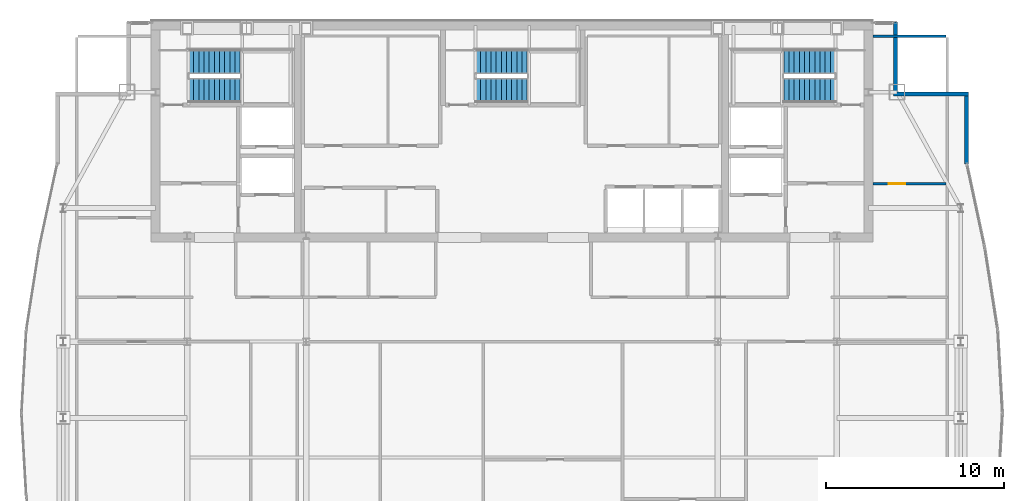
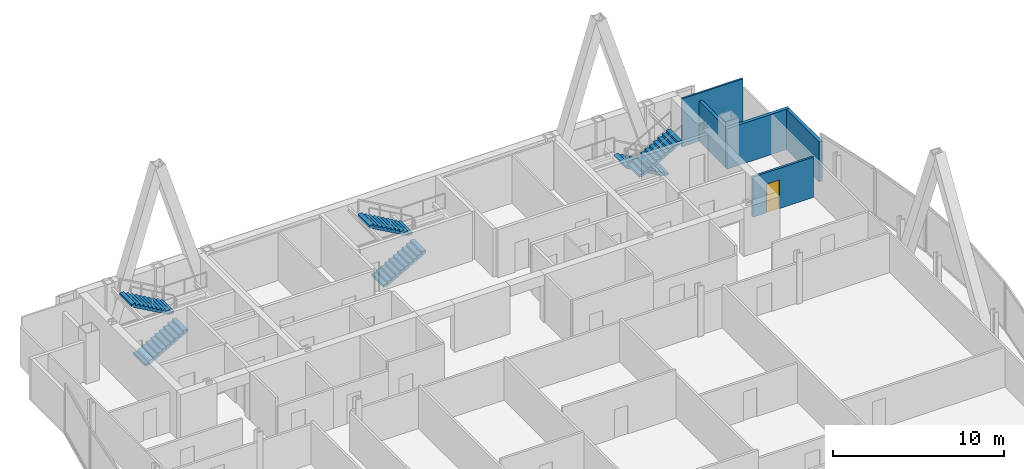
# One storey, part 27 of 29: 6 stair flights, 5 walls, 1 door, 1 opening, 3 elements without a shape of their own.
"""IFC4 building model written with IfcOpenShell, lengths in metres."""

from ifc_helpers import new_model, si_unit, direction, frame, frame_2d, origin, place, context, subcontext, project, spatial, polyline, rectangle, outline, extrude, material, layer, layer_set, type_object, element, fill, aggregate, save


model = new_model("IFC4")

# Units and contexts
model_context = context("Model", 3, precision=1e-05, world=origin(), true_north=direction((0.0, 1.0)))
body_context = subcontext(model_context, "Body", "Model", "MODEL_VIEW")
ifc_project = project(units=[si_unit("LENGTHUNIT", "METRE"), si_unit("AREAUNIT", "SQUARE_METRE"), si_unit("VOLUMEUNIT", "CUBIC_METRE"), si_unit("PLANEANGLEUNIT", "RADIAN"), si_unit("MASSUNIT", "GRAM", prefix="KILO")], contexts=[model_context])

# Site, building, storey
site_placement = place(None, origin())
site = spatial("IfcSite", under=ifc_project, at=site_placement, CompositionType="ELEMENT")
building_placement = place(site_placement, origin())
building = spatial("IfcBuilding", under=site, at=building_placement, Name="Khoronbel Lancet Exchange", CompositionType="ELEMENT")
storey_placement = place(building_placement, frame((0.0, 0.0, 314.60009765625)))
storey = spatial("IfcBuildingStorey", under=building, at=storey_placement, Name="L81", CompositionType="ELEMENT", Elevation=314.60009765625)

# Walls
ifc_material_1 = material(Name="Precast concrete C40/50", Category="concrete")
ifc_layer_1 = layer(ifc_material_1, 0.25, Name="Precast concrete C40/50")
ifc_layer_set_1 = layer_set([ifc_layer_1], Name="Precast concrete C40/50")
wall_type_1 = type_object("IfcWallType", Name="WL-EXT250", PredefinedType="SOLIDWALL", material=ifc_layer_set_1)
wall_1_placement = place(storey_placement, frame((57.9599609375, 53.6298828125, 0.0), z_axis=(0.0, 0.0, 1.0), x_axis=(0.0, -1.0, 0.0)))
element("IfcWall", 1, at=wall_1_placement, inside=storey, type_object=wall_type_1, Name="Level L81 notched-corner limestone pier 14", PredefinedType="SOLIDWALL", context=body_context, shape_type="SweptSolid", body=[
    extrude(rectangle(XDim=3.909912109375, YDim=0.219970703125, at=frame_2d((1.955078125, 0.0))), origin(), (0.0, 0.0, 1.0), 2.8798828125),
])
wall_2_placement = place(storey_placement, frame((57.85009765625, 49.610107421875, 0.0), z_axis=(0.0, 0.0, 1.0), x_axis=(1.0, 0.0, 0.0)))
element("IfcWall", 2, at=wall_2_placement, inside=storey, type_object=wall_type_1, Name="Level L81 notched-corner limestone pier 15", PredefinedType="SOLIDWALL", context=body_context, shape_type="SweptSolid", body=[
    extrude(rectangle(XDim=4.219970703125, YDim=0.219970703125, at=frame_2d((2.10986328125, 0.0))), origin(), (0.0, 0.0, 1.0), 2.8798828125),
])
wall_3_placement = place(storey_placement, frame((61.9599609375, 49.5, 0.0), z_axis=(0.0, 0.0, 1.0), x_axis=(0.0, -1.0, 0.0)))
element("IfcWall", 3, at=wall_3_placement, inside=storey, type_object=wall_type_1, Name="Level L81 notched-corner limestone pier 16", PredefinedType="SOLIDWALL", context=body_context, shape_type="SweptSolid", body=[
    extrude(rectangle(XDim=3.82958984375, YDim=0.219970703125, at=frame_2d((1.914794921875, 0.0))), origin(), (0.0, 0.0, 1.0), 2.8798828125),
])

# Wall, opening, door
ifc_material_2 = material(Name="Acoustic Metal-Stud & Mineral-Wool Gypsum Partition 120 mm", Category="gypsum")
ifc_layer_2 = layer(ifc_material_2, 0.1201171875, Name="Acoustic Metal-Stud & Mineral-Wool Gypsum Partition 120 mm")
ifc_layer_set_2 = layer_set([ifc_layer_2], Name="Acoustic Metal-Stud & Mineral-Wool Gypsum Partition 120 mm")
wall_type_2 = type_object("IfcWallType", Name="WL-PRT120", PredefinedType="PARTITIONING", material=ifc_layer_set_2)
wall_4_placement = place(storey_placement, frame((56.699951171875, 44.56005859375, 0.0), z_axis=(0.0, 0.0, 1.0), x_axis=(1.0, 0.0, 0.0)))
wall_4 = element("IfcWall", 4, at=wall_4_placement, inside=storey, type_object=wall_type_2, Name="Level L81 interior partition PW-NE-H", PredefinedType="PARTITIONING", context=body_context, shape_type="SweptSolid", body=[
    extrude(rectangle(XDim=4.10498046875, YDim=0.14990234375, at=frame_2d((2.052490234375, 0.0))), origin(), (0.0, 0.0, 1.0), 2.8798828125),
])
opening_placement = place(wall_4_placement, frame((0.89990234375, 0.0, 0.0)))
opening = element("IfcOpeningElement", 5, at=opening_placement, cuts=wall_4, Name="Opening D5", PredefinedType="OPENING", context=body_context, shape_type="SweptSolid", body=[
    extrude(rectangle(XDim=0.89990234375, YDim=2.050048828125, at=frame_2d((0.449951171875, 1.02490234375))), frame((0.0, 0.0849609375, 0.0), z_axis=(0.0, -1.0, 0.0), x_axis=(1.0, 0.0, 0.0)), (0.0, 0.0, 1.0), 0.169921875),
])
ifc_material_3 = material(Name="Acoustic Timber Pantry & Support Door", Category="wood")
door_type = type_object("IfcDoorType", Name="DR-D5", OperationType="NOTDEFINED", PredefinedType="DOOR", material=ifc_material_3)
door_placement = place(opening_placement, origin())
door = element("IfcDoor", 6, at=door_placement, inside=storey, type_object=door_type, Name="NE north room door L81-1", OperationType="SINGLE_SWING_LEFT", OverallHeight=2.050048828125, OverallWidth=0.89990234375, PredefinedType="DOOR", context=body_context, shape_type="SweptSolid", body=[
    extrude(rectangle(XDim=0.89990234375, YDim=2.050048828125, at=frame_2d((0.449951171875, 1.02490234375))), frame((0.0, 0.02490234375, 0.0), z_axis=(0.0, -1.0, 0.0), x_axis=(1.0, 0.0, 0.0)), (0.0, 0.0, 1.0), 0.050048828125),
])
fill(opening, door)

# Wall
wall_5_placement = place(storey_placement, frame((56.699951171875, 52.840087890625, 0.0), z_axis=(0.0, 0.0, 1.0), x_axis=(1.0, 0.0, 0.0)))
element("IfcWall", 7, at=wall_5_placement, inside=storey, type_object=wall_type_2, Name="Level L81 interior partition PW-LIN-NE", PredefinedType="PARTITIONING", context=body_context, shape_type="SweptSolid", body=[
    extrude(rectangle(XDim=4.10498046875, YDim=0.1201171875, at=frame_2d((2.052490234375, 0.0))), origin(), (0.0, 0.0, 1.0), 3.43994140625),
])

# Stair, stair flights
ifc_material_4 = material(Name="Concrete C40/50", Category="concrete")
stair_type = type_object("IfcStairType", Name="STR-CORE150", PredefinedType="HALF_TURN_STAIR", material=ifc_material_4)
stair_1_placement = place(storey_placement, origin())
stair_1 = element("IfcStair", 8, at=stair_1_placement, inside=storey, type_object=stair_type, Name="L81 Protected Exit Stair ST1", PredefinedType="HALF_TURN_STAIR")
stair_flight_type = type_object("IfcStairFlightType", Name="STF-150", PredefinedType="STRAIGHT", material=ifc_material_4)
stair_flight_1_placement = place(storey_placement, frame((18.300048828125, 49.81005859375, 0.0), z_axis=(0.0, 0.0, 1.0), x_axis=(1.0, 0.0, 0.0)))
stair_flight_1 = element("IfcStairFlight", 9, at=stair_flight_1_placement, type_object=stair_flight_type, Name="ST1 flight 1", NumberOfRisers=11, NumberOfTreads=10, PredefinedType="STRAIGHT", RiserHeight=0.163636364, TreadLength=0.29, context=body_context, shape_type="SweptSolid", body=[
    extrude(outline(polyline([(0.0, 0.0), (0.0, 0.16357421875), (0.2900390625, 0.16357421875), (0.2900390625, 0.327392578125), (0.580078125, 0.327392578125), (0.580078125, 0.490966796875), (0.8701171875, 0.490966796875), (0.8701171875, 0.654541015625), (1.159912109375, 0.654541015625), (1.159912109375, 0.818115234375), (1.449951171875, 0.818115234375), (1.449951171875, 0.98193359375), (1.739990234375, 0.98193359375), (1.739990234375, 1.1455078125), (2.030029296875, 1.1455078125), (2.030029296875, 1.30908203125), (2.320068359375, 1.30908203125), (2.320068359375, 1.47265625), (2.610107421875, 1.47265625), (2.610107421875, 1.636474609375), (2.89990234375, 1.636474609375), (2.89990234375, 1.800048828125), (2.89990234375, 1.46435546875), (0.304931640625, 0.0), (0.0, 0.0)])), frame((0.0, 0.68994140625, 0.0), z_axis=(0.0, -1.0, 0.0), x_axis=(1.0, 0.0, 0.0)), (0.0, 0.0, 1.0), 1.3798828125),
])
stair_flight_2_placement = place(storey_placement, frame((21.199951171875, 51.409912109375, 1.7998046875), z_axis=(0.0, 0.0, 1.0), x_axis=(-1.0, 0.0, 0.0)))
stair_flight_2 = element("IfcStairFlight", 10, at=stair_flight_2_placement, type_object=stair_flight_type, Name="ST1 flight 2", NumberOfRisers=11, NumberOfTreads=10, PredefinedType="STRAIGHT", RiserHeight=0.163636364, TreadLength=0.29, context=body_context, shape_type="SweptSolid", body=[
    extrude(outline(polyline([(0.0, 0.0), (0.0, 0.16357421875), (0.2900390625, 0.16357421875), (0.2900390625, 0.327392578125), (0.580078125, 0.327392578125), (0.580078125, 0.490966796875), (0.8701171875, 0.490966796875), (0.8701171875, 0.654541015625), (1.159912109375, 0.654541015625), (1.159912109375, 0.818115234375), (1.449951171875, 0.818115234375), (1.449951171875, 0.98193359375), (1.739990234375, 0.98193359375), (1.739990234375, 1.1455078125), (2.030029296875, 1.1455078125), (2.030029296875, 1.30908203125), (2.320068359375, 1.30908203125), (2.320068359375, 1.47265625), (2.610107421875, 1.47265625), (2.610107421875, 1.636474609375), (2.89990234375, 1.636474609375), (2.89990234375, 1.800048828125), (2.89990234375, 1.46435546875), (0.304931640625, 0.0), (0.0, 0.0)])), frame((0.0, 0.68994140625, 0.0), z_axis=(0.0, -1.0, 0.0), x_axis=(1.0, 0.0, 0.0)), (0.0, 0.0, 1.0), 1.3798828125),
])
aggregate(stair_1, [stair_flight_1, stair_flight_2])

stair_2_placement = place(storey_placement, origin())
stair_2 = element("IfcStair", 11, at=stair_2_placement, inside=storey, type_object=stair_type, Name="L81 Protected Exit Stair ST2", PredefinedType="HALF_TURN_STAIR")
stair_flight_3_placement = place(storey_placement, frame((54.60009765625, 51.409912109375, 0.0), z_axis=(0.0, 0.0, 1.0), x_axis=(-1.0, 0.0, 0.0)))
stair_flight_3 = element("IfcStairFlight", 12, at=stair_flight_3_placement, type_object=stair_flight_type, Name="ST2 flight 1", NumberOfRisers=11, NumberOfTreads=10, PredefinedType="STRAIGHT", RiserHeight=0.163636364, TreadLength=0.29, context=body_context, shape_type="SweptSolid", body=[
    extrude(outline(polyline([(0.0, 0.0), (0.0, 0.16357421875), (0.2900390625, 0.16357421875), (0.2900390625, 0.327392578125), (0.580078125, 0.327392578125), (0.580078125, 0.490966796875), (0.8701171875, 0.490966796875), (0.8701171875, 0.654541015625), (1.159912109375, 0.654541015625), (1.159912109375, 0.818115234375), (1.449951171875, 0.818115234375), (1.449951171875, 0.98193359375), (1.739990234375, 0.98193359375), (1.739990234375, 1.1455078125), (2.030029296875, 1.1455078125), (2.030029296875, 1.30908203125), (2.320068359375, 1.30908203125), (2.320068359375, 1.47265625), (2.610107421875, 1.47265625), (2.610107421875, 1.636474609375), (2.89990234375, 1.636474609375), (2.89990234375, 1.800048828125), (2.89990234375, 1.46435546875), (0.304931640625, 0.0), (0.0, 0.0)])), frame((0.0, 0.68994140625, 0.0), z_axis=(0.0, -1.0, 0.0), x_axis=(1.0, 0.0, 0.0)), (0.0, 0.0, 1.0), 1.3798828125),
])
stair_flight_4_placement = place(storey_placement, frame((51.699951171875, 49.81005859375, 1.7998046875), z_axis=(0.0, 0.0, 1.0), x_axis=(1.0, 0.0, 0.0)))
stair_flight_4 = element("IfcStairFlight", 13, at=stair_flight_4_placement, type_object=stair_flight_type, Name="ST2 flight 2", NumberOfRisers=11, NumberOfTreads=10, PredefinedType="STRAIGHT", RiserHeight=0.163636364, TreadLength=0.29, context=body_context, shape_type="SweptSolid", body=[
    extrude(outline(polyline([(0.0, 0.0), (0.0, 0.16357421875), (0.2900390625, 0.16357421875), (0.2900390625, 0.327392578125), (0.580078125, 0.327392578125), (0.580078125, 0.490966796875), (0.8701171875, 0.490966796875), (0.8701171875, 0.654541015625), (1.159912109375, 0.654541015625), (1.159912109375, 0.818115234375), (1.449951171875, 0.818115234375), (1.449951171875, 0.98193359375), (1.739990234375, 0.98193359375), (1.739990234375, 1.1455078125), (2.030029296875, 1.1455078125), (2.030029296875, 1.30908203125), (2.320068359375, 1.30908203125), (2.320068359375, 1.47265625), (2.610107421875, 1.47265625), (2.610107421875, 1.636474609375), (2.89990234375, 1.636474609375), (2.89990234375, 1.800048828125), (2.89990234375, 1.46435546875), (0.304931640625, 0.0), (0.0, 0.0)])), frame((0.0, 0.68994140625, 0.0), z_axis=(0.0, -1.0, 0.0), x_axis=(1.0, 0.0, 0.0)), (0.0, 0.0, 1.0), 1.3798828125),
])
aggregate(stair_2, [stair_flight_3, stair_flight_4])

stair_3_placement = place(storey_placement, origin())
stair_3 = element("IfcStair", 14, at=stair_3_placement, inside=storey, type_object=stair_type, Name="L81 Protected Exit Stair ST3", PredefinedType="HALF_TURN_STAIR")
stair_flight_5_placement = place(storey_placement, frame((34.39990234375, 49.81005859375, 0.0), z_axis=(0.0, 0.0, 1.0), x_axis=(1.0, 0.0, 0.0)))
stair_flight_5 = element("IfcStairFlight", 15, at=stair_flight_5_placement, type_object=stair_flight_type, Name="ST3 flight 1", NumberOfRisers=11, NumberOfTreads=10, PredefinedType="STRAIGHT", RiserHeight=0.163636364, TreadLength=0.29, context=body_context, shape_type="SweptSolid", body=[
    extrude(outline(polyline([(0.0, 0.0), (0.0, 0.16357421875), (0.2900390625, 0.16357421875), (0.2900390625, 0.327392578125), (0.580078125, 0.327392578125), (0.580078125, 0.490966796875), (0.8701171875, 0.490966796875), (0.8701171875, 0.654541015625), (1.159912109375, 0.654541015625), (1.159912109375, 0.818115234375), (1.449951171875, 0.818115234375), (1.449951171875, 0.98193359375), (1.739990234375, 0.98193359375), (1.739990234375, 1.1455078125), (2.030029296875, 1.1455078125), (2.030029296875, 1.30908203125), (2.320068359375, 1.30908203125), (2.320068359375, 1.47265625), (2.610107421875, 1.47265625), (2.610107421875, 1.636474609375), (2.89990234375, 1.636474609375), (2.89990234375, 1.800048828125), (2.89990234375, 1.46435546875), (0.304931640625, 0.0), (0.0, 0.0)])), frame((0.0, 0.68994140625, 0.0), z_axis=(0.0, -1.0, 0.0), x_axis=(1.0, 0.0, 0.0)), (0.0, 0.0, 1.0), 1.3798828125),
])
stair_flight_6_placement = place(storey_placement, frame((37.300048828125, 51.409912109375, 1.7998046875), z_axis=(0.0, 0.0, 1.0), x_axis=(-1.0, 0.0, 0.0)))
stair_flight_6 = element("IfcStairFlight", 16, at=stair_flight_6_placement, type_object=stair_flight_type, Name="ST3 flight 2", NumberOfRisers=11, NumberOfTreads=10, PredefinedType="STRAIGHT", RiserHeight=0.163636364, TreadLength=0.29, context=body_context, shape_type="SweptSolid", body=[
    extrude(outline(polyline([(0.0, 0.0), (0.0, 0.16357421875), (0.2900390625, 0.16357421875), (0.2900390625, 0.327392578125), (0.580078125, 0.327392578125), (0.580078125, 0.490966796875), (0.8701171875, 0.490966796875), (0.8701171875, 0.654541015625), (1.159912109375, 0.654541015625), (1.159912109375, 0.818115234375), (1.449951171875, 0.818115234375), (1.449951171875, 0.98193359375), (1.739990234375, 0.98193359375), (1.739990234375, 1.1455078125), (2.030029296875, 1.1455078125), (2.030029296875, 1.30908203125), (2.320068359375, 1.30908203125), (2.320068359375, 1.47265625), (2.610107421875, 1.47265625), (2.610107421875, 1.636474609375), (2.89990234375, 1.636474609375), (2.89990234375, 1.800048828125), (2.89990234375, 1.46435546875), (0.304931640625, 0.0), (0.0, 0.0)])), frame((0.0, 0.68994140625, 0.0), z_axis=(0.0, -1.0, 0.0), x_axis=(1.0, 0.0, 0.0)), (0.0, 0.0, 1.0), 1.3798828125),
])
aggregate(stair_3, [stair_flight_5, stair_flight_6])

save(model, "model.ifc")
